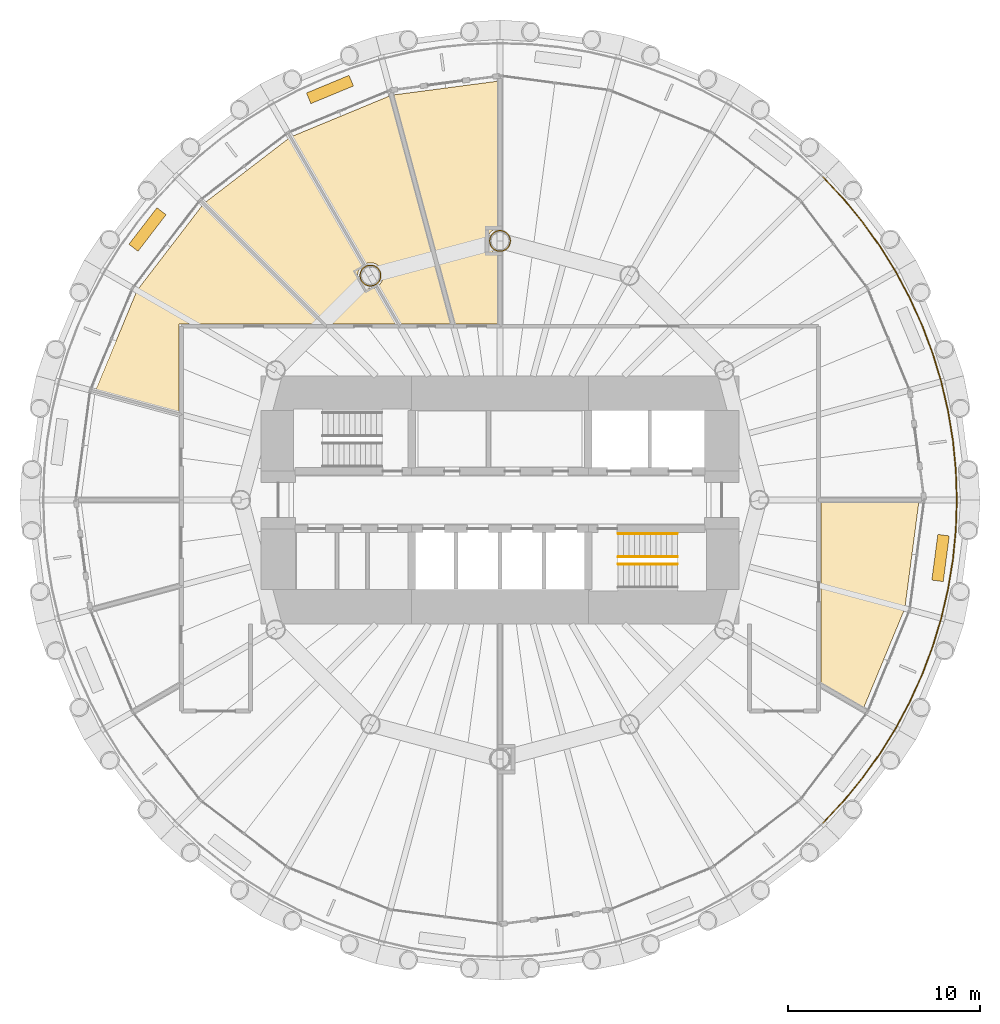
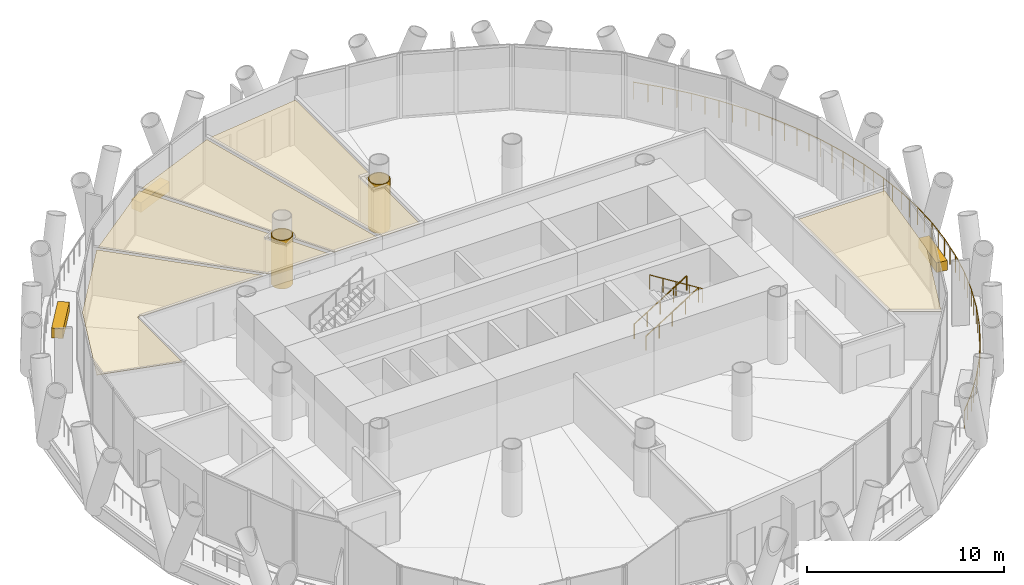
# One storey, part 14 of 15: 10 coverings, 4 railings.
"""IFC4 building model written with IfcOpenShell, lengths in metres."""

from ifc_helpers import new_model, si_unit, direction, frame, origin, origin_2d, place, context, subcontext, project, spatial, polyline, rectangle, circle, outline, extrude, material, layer, layer_set, type_object, element, save


model = new_model("IFC4")

# Units and contexts
model_context = context("Model", 3, precision=1e-05, world=origin(), true_north=direction((0.0, 1.0)))
body_context = subcontext(model_context, "Body", "Model", "MODEL_VIEW")
ifc_project = project(units=[si_unit("LENGTHUNIT", "METRE"), si_unit("AREAUNIT", "SQUARE_METRE"), si_unit("VOLUMEUNIT", "CUBIC_METRE"), si_unit("PLANEANGLEUNIT", "RADIAN"), si_unit("MASSUNIT", "GRAM", prefix="KILO")], contexts=[model_context])

# Site, building, storey
site_placement = place(None, origin())
site = spatial("IfcSite", under=ifc_project, at=site_placement, CompositionType="ELEMENT")
building_placement = place(site_placement, origin())
building = spatial("IfcBuilding", under=site, at=building_placement, Name="Qaws Media Tower", CompositionType="ELEMENT")
storey_placement = place(building_placement, frame((0.0, 0.0, 177.199951171875)))
storey = spatial("IfcBuildingStorey", under=building, at=storey_placement, Name="L40", CompositionType="ELEMENT", Elevation=177.199951171875)

# Covering
ifc_material_1 = material(Name="40 perforated acoustic panels with mineral wool backing, suspended", Category="mineral fibre")
ifc_layer_1 = layer(ifc_material_1, 0.0400390625)
ifc_layer_set_1 = layer_set([ifc_layer_1], Name="Acoustic panel ceiling 40")
covering_type_1 = type_object("IfcCoveringType", Name="Acoustic panel ceiling 40", PredefinedType="CEILING", material=ifc_layer_set_1)
covering_1_placement = place(storey_placement, frame((0.0, 0.0, 2.85009765625)))
element("IfcCovering", 1, at=covering_1_placement, inside=storey, type_object=covering_type_1, Name="CL3 ceiling L40-06 Meeting room", PredefinedType="CEILING", context=body_context, shape_type="SweptSolid", body=[
    extrude(outline(polyline([(41.090087890625, 60.91748046875), (44.4912109375, 65.349853515625), (50.678466796875, 59.16259765625), (43.28759765625, 59.16259765625), (43.28759765625, 54.594482421875), (38.9521484375, 55.756103515625), (41.090087890625, 60.91748046875)])), origin(), (0.0, 0.0, 1.0), 0.0400390625),
])

# Railing
ifc_material_2 = material(Name="Stainless steel and glass guard", Category="steel")
railing_type_1 = type_object("IfcRailingType", Name="Balcony guard 1100", PredefinedType="GUARDRAIL", material=ifc_material_2)
railing_1_placement = place(storey_placement, frame((76.8291015625, 33.1708984375, 0.0)))
element("IfcRailing", 2, at=railing_1_placement, inside=storey, type_object=railing_type_1, Name="GR1 balcony guard L40-4", PredefinedType="GUARDRAIL", context=body_context, shape_type="SweptSolid", body=[
    extrude(circle(Radius=0.02392578125, at=origin_2d()), frame((0.0, 0.0, 1.076171875), z_axis=(0.683607342491, 0.729849985471, 0.0), x_axis=(-0.729849985471, 0.683607342491, 0.0)), (0.0, 0.0, 1.0), 1.557373046875),
    extrude(circle(Radius=0.02392578125, at=origin_2d()), frame((1.064697265625, 1.13671875, 1.076171875), z_axis=(0.634415098536, 0.772992550255, 0.0), x_axis=(-0.772992550255, 0.634415098536, 0.0)), (0.0, 0.0, 1.0), 1.557373046875),
    extrude(circle(Radius=0.02392578125, at=origin_2d()), frame((2.052734375, 2.340576171875, 1.076171875), z_axis=(0.582527572079, 0.812810942204, 0.0), x_axis=(-0.812810942204, 0.582527572079, 0.0)), (0.0, 0.0, 1.0), 1.557373046875),
    extrude(circle(Radius=0.02392578125, at=origin_2d()), frame((2.9599609375, 3.6064453125, 1.076171875), z_axis=(0.527940232617, 0.849281526223, 0.0), x_axis=(-0.849281526223, 0.527940232617, 0.0)), (0.0, 0.0, 1.0), 1.5576171875),
    extrude(circle(Radius=0.02392578125, at=origin_2d()), frame((3.7822265625, 4.92919921875, 1.076171875), z_axis=(0.471377271187, 0.881931668673, 0.0), x_axis=(-0.881931668673, 0.471377271187, 0.0)), (0.0, 0.0, 1.0), 1.557373046875),
    extrude(circle(Radius=0.02392578125, at=origin_2d()), frame((4.516357421875, 6.302734375, 1.076171875), z_axis=(0.412775086352, 0.910832985836, 0.0), x_axis=(-0.910832985836, 0.412775086352, 0.0)), (0.0, 0.0, 1.0), 1.557373046875),
    extrude(circle(Radius=0.02392578125, at=origin_2d()), frame((5.1591796875, 7.72119140625, 1.076171875), z_axis=(0.352205389808, 0.935922733665, 0.0), x_axis=(-0.935922733665, 0.352205389808, 0.0)), (0.0, 0.0, 1.0), 1.5576171875),
    extrude(circle(Radius=0.02392578125, at=origin_2d()), frame((5.707763671875, 9.178955078125, 1.076171875), z_axis=(0.29033805853, 0.956924141073, 0.0), x_axis=(-0.956924141073, 0.29033805853, 0.0)), (0.0, 0.0, 1.0), 1.557373046875),
    extrude(circle(Radius=0.02392578125, at=origin_2d()), frame((6.159912109375, 10.669189453125, 1.076171875), z_axis=(0.227125557152, 0.973865484186, 0.0), x_axis=(-0.973865484186, 0.227125557152, 0.0)), (0.0, 0.0, 1.0), 1.5576171875),
    extrude(circle(Radius=0.02392578125, at=origin_2d()), frame((6.513671875, 12.18603515625, 1.076171875), z_axis=(0.162873559095, 0.9866469499, 0.0), x_axis=(-0.9866469499, 0.162873559095, 0.0)), (0.0, 0.0, 1.0), 1.557373046875),
    extrude(circle(Radius=0.02392578125, at=origin_2d()), frame((6.767333984375, 13.72265625, 1.076171875), z_axis=(0.097982449474, 0.995188142813, 0.0), x_axis=(-0.995188142813, 0.097982449474, 0.0)), (0.0, 0.0, 1.0), 1.557373046875),
    extrude(circle(Radius=0.02392578125, at=origin_2d()), frame((6.919921875, 15.2724609375, 1.076171875), z_axis=(0.032761575887, 0.999463195493, 0.0), x_axis=(-0.999463195493, 0.032761575887, 0.0)), (0.0, 0.0, 1.0), 1.557373046875),
    extrude(circle(Radius=0.02392578125, at=origin_2d()), frame((6.970947265625, 16.8291015625, 1.076171875), z_axis=(-0.032761575887, 0.999463195493, 0.0), x_axis=(-0.999463195493, -0.032761575887, 0.0)), (0.0, 0.0, 1.0), 1.557373046875),
    extrude(circle(Radius=0.02392578125, at=origin_2d()), frame((6.919921875, 18.3857421875, 1.076171875), z_axis=(-0.097982449474, 0.995188142813, 0.0), x_axis=(-0.995188142813, -0.097982449474, 0.0)), (0.0, 0.0, 1.0), 1.557373046875),
    extrude(circle(Radius=0.02392578125, at=origin_2d()), frame((6.767333984375, 19.935546875, 1.076171875), z_axis=(-0.162873559095, 0.9866469499, 0.0), x_axis=(-0.9866469499, -0.162873559095, 0.0)), (0.0, 0.0, 1.0), 1.557373046875),
    extrude(circle(Radius=0.02392578125, at=origin_2d()), frame((6.513671875, 21.47216796875, 1.076171875), z_axis=(-0.227125557152, 0.973865484186, 0.0), x_axis=(-0.973865484186, -0.227125557152, 0.0)), (0.0, 0.0, 1.0), 1.5576171875),
    extrude(circle(Radius=0.02392578125, at=origin_2d()), frame((6.159912109375, 22.989013671875, 1.076171875), z_axis=(-0.29033805853, 0.956924141073, 0.0), x_axis=(-0.956924141073, -0.29033805853, 0.0)), (0.0, 0.0, 1.0), 1.557373046875),
    extrude(circle(Radius=0.02392578125, at=origin_2d()), frame((5.707763671875, 24.479248046875, 1.076171875), z_axis=(-0.352205389808, 0.935922733665, 0.0), x_axis=(-0.935922733665, -0.352205389808, 0.0)), (0.0, 0.0, 1.0), 1.5576171875),
    extrude(circle(Radius=0.02392578125, at=origin_2d()), frame((5.1591796875, 25.93701171875, 1.076171875), z_axis=(-0.412775086352, 0.910832985836, 0.0), x_axis=(-0.910832985836, -0.412775086352, 0.0)), (0.0, 0.0, 1.0), 1.557373046875),
    extrude(circle(Radius=0.02392578125, at=origin_2d()), frame((4.516357421875, 27.35546875, 1.076171875), z_axis=(-0.471377271187, 0.881931668673, 0.0), x_axis=(-0.881931668673, -0.471377271187, 0.0)), (0.0, 0.0, 1.0), 1.557373046875),
    extrude(circle(Radius=0.02392578125, at=origin_2d()), frame((3.7822265625, 28.72900390625, 1.076171875), z_axis=(-0.527940232617, 0.849281526223, 0.0), x_axis=(-0.849281526223, -0.527940232617, 0.0)), (0.0, 0.0, 1.0), 1.5576171875),
    extrude(circle(Radius=0.02392578125, at=origin_2d()), frame((2.9599609375, 30.0517578125, 1.076171875), z_axis=(-0.582527572079, 0.812810942204, 0.0), x_axis=(-0.812810942204, -0.582527572079, 0.0)), (0.0, 0.0, 1.0), 1.557373046875),
    extrude(circle(Radius=0.02392578125, at=origin_2d()), frame((2.052734375, 31.317626953125, 1.076171875), z_axis=(-0.634415098536, 0.772992550255, 0.0), x_axis=(-0.772992550255, -0.634415098536, 0.0)), (0.0, 0.0, 1.0), 1.557373046875),
    extrude(circle(Radius=0.02392578125, at=origin_2d()), frame((1.064697265625, 32.521484375, 1.076171875), z_axis=(-0.683607342491, 0.729849985471, 0.0), x_axis=(-0.729849985471, -0.683607342491, 0.0)), (0.0, 0.0, 1.0), 1.557373046875),
    extrude(circle(Radius=0.02099609375, at=origin_2d()), origin(), (0.0, 0.0, 1.0), 1.052001953125),
    extrude(circle(Radius=0.02099609375, at=origin_2d()), frame((0.5322265625, 0.568359375, 0.0)), (0.0, 0.0, 1.0), 1.052001953125),
    extrude(circle(Radius=0.02099609375, at=origin_2d()), frame((1.064697265625, 1.13671875, 0.0)), (0.0, 0.0, 1.0), 1.052001953125),
    extrude(circle(Radius=0.02099609375, at=origin_2d()), frame((1.55859375, 1.73876953125, 0.0)), (0.0, 0.0, 1.0), 1.052001953125),
    extrude(circle(Radius=0.02099609375, at=origin_2d()), frame((2.052734375, 2.340576171875, 0.0)), (0.0, 0.0, 1.0), 1.052001953125),
    extrude(circle(Radius=0.02099609375, at=origin_2d()), frame((2.50634765625, 2.9736328125, 0.0)), (0.0, 0.0, 1.0), 1.052001953125),
    extrude(circle(Radius=0.02099609375, at=origin_2d()), frame((2.9599609375, 3.6064453125, 0.0)), (0.0, 0.0, 1.0), 1.052001953125),
    extrude(circle(Radius=0.02099609375, at=origin_2d()), frame((3.37109375, 4.267822265625, 0.0)), (0.0, 0.0, 1.0), 1.052001953125),
    extrude(circle(Radius=0.02099609375, at=origin_2d()), frame((3.7822265625, 4.92919921875, 0.0)), (0.0, 0.0, 1.0), 1.052001953125),
    extrude(circle(Radius=0.02099609375, at=origin_2d()), frame((4.1494140625, 5.615966796875, 0.0)), (0.0, 0.0, 1.0), 1.052001953125),
    extrude(circle(Radius=0.02099609375, at=origin_2d()), frame((4.516357421875, 6.302734375, 0.0)), (0.0, 0.0, 1.0), 1.052001953125),
    extrude(circle(Radius=0.02099609375, at=origin_2d()), frame((4.837890625, 7.011962890625, 0.0)), (0.0, 0.0, 1.0), 1.052001953125),
    extrude(circle(Radius=0.02099609375, at=origin_2d()), frame((5.1591796875, 7.72119140625, 0.0)), (0.0, 0.0, 1.0), 1.052001953125),
    extrude(circle(Radius=0.02099609375, at=origin_2d()), frame((5.43359375, 8.4501953125, 0.0)), (0.0, 0.0, 1.0), 1.052001953125),
    extrude(circle(Radius=0.02099609375, at=origin_2d()), frame((5.707763671875, 9.178955078125, 0.0)), (0.0, 0.0, 1.0), 1.052001953125),
    extrude(circle(Radius=0.02099609375, at=origin_2d()), frame((5.933837890625, 9.924072265625, 0.0)), (0.0, 0.0, 1.0), 1.052001953125),
    extrude(circle(Radius=0.02099609375, at=origin_2d()), frame((6.159912109375, 10.669189453125, 0.0)), (0.0, 0.0, 1.0), 1.052001953125),
    extrude(circle(Radius=0.02099609375, at=origin_2d()), frame((6.3369140625, 11.427734375, 0.0)), (0.0, 0.0, 1.0), 1.052001953125),
    extrude(circle(Radius=0.02099609375, at=origin_2d()), frame((6.513671875, 12.18603515625, 0.0)), (0.0, 0.0, 1.0), 1.052001953125),
    extrude(circle(Radius=0.02099609375, at=origin_2d()), frame((6.640625, 12.954345703125, 0.0)), (0.0, 0.0, 1.0), 1.052001953125),
    extrude(circle(Radius=0.02099609375, at=origin_2d()), frame((6.767333984375, 13.72265625, 0.0)), (0.0, 0.0, 1.0), 1.052001953125),
    extrude(circle(Radius=0.02099609375, at=origin_2d()), frame((6.84375, 14.49755859375, 0.0)), (0.0, 0.0, 1.0), 1.052001953125),
    extrude(circle(Radius=0.02099609375, at=origin_2d()), frame((6.919921875, 15.2724609375, 0.0)), (0.0, 0.0, 1.0), 1.052001953125),
    extrude(circle(Radius=0.02099609375, at=origin_2d()), frame((6.9453125, 16.05078125, 0.0)), (0.0, 0.0, 1.0), 1.052001953125),
    extrude(circle(Radius=0.02099609375, at=origin_2d()), frame((6.970947265625, 16.8291015625, 0.0)), (0.0, 0.0, 1.0), 1.052001953125),
    extrude(circle(Radius=0.02099609375, at=origin_2d()), frame((6.9453125, 17.607421875, 0.0)), (0.0, 0.0, 1.0), 1.052001953125),
    extrude(circle(Radius=0.02099609375, at=origin_2d()), frame((6.919921875, 18.3857421875, 0.0)), (0.0, 0.0, 1.0), 1.052001953125),
    extrude(circle(Radius=0.02099609375, at=origin_2d()), frame((6.84375, 19.16064453125, 0.0)), (0.0, 0.0, 1.0), 1.052001953125),
    extrude(circle(Radius=0.02099609375, at=origin_2d()), frame((6.767333984375, 19.935546875, 0.0)), (0.0, 0.0, 1.0), 1.052001953125),
    extrude(circle(Radius=0.02099609375, at=origin_2d()), frame((6.640625, 20.703857421875, 0.0)), (0.0, 0.0, 1.0), 1.052001953125),
    extrude(circle(Radius=0.02099609375, at=origin_2d()), frame((6.513671875, 21.47216796875, 0.0)), (0.0, 0.0, 1.0), 1.052001953125),
    extrude(circle(Radius=0.02099609375, at=origin_2d()), frame((6.3369140625, 22.23046875, 0.0)), (0.0, 0.0, 1.0), 1.052001953125),
    extrude(circle(Radius=0.02099609375, at=origin_2d()), frame((6.159912109375, 22.989013671875, 0.0)), (0.0, 0.0, 1.0), 1.052001953125),
    extrude(circle(Radius=0.02099609375, at=origin_2d()), frame((5.933837890625, 23.734130859375, 0.0)), (0.0, 0.0, 1.0), 1.052001953125),
    extrude(circle(Radius=0.02099609375, at=origin_2d()), frame((5.707763671875, 24.479248046875, 0.0)), (0.0, 0.0, 1.0), 1.052001953125),
    extrude(circle(Radius=0.02099609375, at=origin_2d()), frame((5.43359375, 25.2080078125, 0.0)), (0.0, 0.0, 1.0), 1.052001953125),
    extrude(circle(Radius=0.02099609375, at=origin_2d()), frame((5.1591796875, 25.93701171875, 0.0)), (0.0, 0.0, 1.0), 1.052001953125),
    extrude(circle(Radius=0.02099609375, at=origin_2d()), frame((4.837890625, 26.646240234375, 0.0)), (0.0, 0.0, 1.0), 1.052001953125),
    extrude(circle(Radius=0.02099609375, at=origin_2d()), frame((4.516357421875, 27.35546875, 0.0)), (0.0, 0.0, 1.0), 1.052001953125),
    extrude(circle(Radius=0.02099609375, at=origin_2d()), frame((4.1494140625, 28.042236328125, 0.0)), (0.0, 0.0, 1.0), 1.052001953125),
    extrude(circle(Radius=0.02099609375, at=origin_2d()), frame((3.7822265625, 28.72900390625, 0.0)), (0.0, 0.0, 1.0), 1.052001953125),
    extrude(circle(Radius=0.02099609375, at=origin_2d()), frame((3.37109375, 29.390380859375, 0.0)), (0.0, 0.0, 1.0), 1.052001953125),
    extrude(circle(Radius=0.02099609375, at=origin_2d()), frame((2.9599609375, 30.0517578125, 0.0)), (0.0, 0.0, 1.0), 1.052001953125),
    extrude(circle(Radius=0.02099609375, at=origin_2d()), frame((2.50634765625, 30.6845703125, 0.0)), (0.0, 0.0, 1.0), 1.052001953125),
    extrude(circle(Radius=0.02099609375, at=origin_2d()), frame((2.052734375, 31.317626953125, 0.0)), (0.0, 0.0, 1.0), 1.052001953125),
    extrude(circle(Radius=0.02099609375, at=origin_2d()), frame((1.55859375, 31.91943359375, 0.0)), (0.0, 0.0, 1.0), 1.052001953125),
    extrude(circle(Radius=0.02099609375, at=origin_2d()), frame((1.064697265625, 32.521484375, 0.0)), (0.0, 0.0, 1.0), 1.052001953125),
    extrude(circle(Radius=0.02099609375, at=origin_2d()), frame((0.5322265625, 33.08984375, 0.0)), (0.0, 0.0, 1.0), 1.052001953125),
    extrude(circle(Radius=0.02099609375, at=origin_2d()), frame((0.0, 33.658203125, 0.0)), (0.0, 0.0, 1.0), 1.052001953125),
])

# Coverings
ifc_material_3 = material(Name="Two layers 15 fire-rated gypsum board on steel framing", Category="steel")
ifc_layer_2 = layer(ifc_material_3, 0.050048828125)
ifc_layer_set_2 = layer_set([ifc_layer_2], Name="Column fire casing")
covering_type_2 = type_object("IfcCoveringType", Name="Column fire casing", PredefinedType="CLADDING", material=ifc_layer_set_2)
covering_2_placement = place(storey_placement, origin())
element("IfcCovering", 3, at=covering_2_placement, inside=storey, type_object=covering_type_2, Name="CC1 column casing L40", PredefinedType="CLADDING", context=body_context, shape_type="SweptSolid", body=[
    extrude(outline(polyline([(60.56298828125, 63.5), (60.55810546875, 63.426513671875), (60.543701171875, 63.354248046875), (60.52001953125, 63.284423828125), (60.487548828125, 63.218505859375), (60.44677734375, 63.1572265625), (60.398193359375, 63.101806640625), (60.3427734375, 63.05322265625), (60.281494140625, 63.012451171875), (60.215576171875, 62.97998046875), (60.145751953125, 62.956298828125), (60.073486328125, 62.94189453125), (60.0, 62.93701171875), (59.926513671875, 62.94189453125), (59.854248046875, 62.956298828125), (59.784423828125, 62.97998046875), (59.718505859375, 63.012451171875), (59.6572265625, 63.05322265625), (59.601806640625, 63.101806640625), (59.55322265625, 63.1572265625), (59.512451171875, 63.218505859375), (59.47998046875, 63.284423828125), (59.456298828125, 63.354248046875), (59.44189453125, 63.426513671875), (59.43701171875, 63.5), (59.44189453125, 63.573486328125), (59.456298828125, 63.645751953125), (59.47998046875, 63.715576171875), (59.512451171875, 63.781494140625), (59.55322265625, 63.8427734375), (59.601806640625, 63.898193359375), (59.6572265625, 63.94677734375), (59.718505859375, 63.987548828125), (59.784423828125, 64.02001953125), (59.854248046875, 64.043701171875), (59.926513671875, 64.05810546875), (60.0, 64.06298828125), (60.073486328125, 64.05810546875), (60.145751953125, 64.043701171875), (60.215576171875, 64.02001953125), (60.281494140625, 63.987548828125), (60.3427734375, 63.94677734375), (60.398193359375, 63.898193359375), (60.44677734375, 63.8427734375), (60.487548828125, 63.781494140625), (60.52001953125, 63.715576171875), (60.543701171875, 63.645751953125), (60.55810546875, 63.573486328125), (60.56298828125, 63.5)]), holes=[polyline([(60.510986328125, 63.5), (60.506591796875, 63.433349609375), (60.49365234375, 63.36767578125), (60.47216796875, 63.304443359375), (60.4423828125, 63.244384765625), (60.405517578125, 63.18896484375), (60.361328125, 63.138671875), (60.31103515625, 63.094482421875), (60.255615234375, 63.0576171875), (60.195556640625, 63.02783203125), (60.13232421875, 63.00634765625), (60.066650390625, 62.993408203125), (60.0, 62.989013671875), (59.933349609375, 62.993408203125), (59.86767578125, 63.00634765625), (59.804443359375, 63.02783203125), (59.744384765625, 63.0576171875), (59.68896484375, 63.094482421875), (59.638671875, 63.138671875), (59.594482421875, 63.18896484375), (59.5576171875, 63.244384765625), (59.52783203125, 63.304443359375), (59.50634765625, 63.36767578125), (59.493408203125, 63.433349609375), (59.489013671875, 63.5), (59.493408203125, 63.566650390625), (59.50634765625, 63.63232421875), (59.52783203125, 63.695556640625), (59.5576171875, 63.755615234375), (59.594482421875, 63.81103515625), (59.638671875, 63.861328125), (59.68896484375, 63.905517578125), (59.744384765625, 63.9423828125), (59.804443359375, 63.97216796875), (59.86767578125, 63.99365234375), (59.933349609375, 64.006591796875), (60.0, 64.010986328125), (60.066650390625, 64.006591796875), (60.13232421875, 63.99365234375), (60.195556640625, 63.97216796875), (60.255615234375, 63.9423828125), (60.31103515625, 63.905517578125), (60.361328125, 63.861328125), (60.405517578125, 63.81103515625), (60.4423828125, 63.755615234375), (60.47216796875, 63.695556640625), (60.49365234375, 63.63232421875), (60.506591796875, 63.566650390625), (60.510986328125, 63.5)])]), origin(), (0.0, 0.0, 1.0), 3.011962890625),
])
covering_3_placement = place(storey_placement, origin())
element("IfcCovering", 4, at=covering_3_placement, inside=storey, type_object=covering_type_2, Name="CC1 column casing L40", PredefinedType="CLADDING", context=body_context, shape_type="SweptSolid", body=[
    extrude(outline(polyline([(53.81298828125, 61.69140625), (53.80810546875, 61.617919921875), (53.793701171875, 61.545654296875), (53.77001953125, 61.475830078125), (53.737548828125, 61.409912109375), (53.69677734375, 61.3486328125), (53.648193359375, 61.293212890625), (53.5927734375, 61.24462890625), (53.531494140625, 61.203857421875), (53.465576171875, 61.171142578125), (53.395751953125, 61.1474609375), (53.323486328125, 61.13330078125), (53.25, 61.12841796875), (53.176513671875, 61.13330078125), (53.104248046875, 61.1474609375), (53.034423828125, 61.171142578125), (52.968505859375, 61.203857421875), (52.9072265625, 61.24462890625), (52.851806640625, 61.293212890625), (52.80322265625, 61.3486328125), (52.762451171875, 61.409912109375), (52.72998046875, 61.475830078125), (52.706298828125, 61.545654296875), (52.69189453125, 61.617919921875), (52.68701171875, 61.69140625), (52.69189453125, 61.764892578125), (52.706298828125, 61.837158203125), (52.72998046875, 61.90673828125), (52.762451171875, 61.972900390625), (52.80322265625, 62.0341796875), (52.851806640625, 62.08935546875), (52.9072265625, 62.137939453125), (52.968505859375, 62.178955078125), (53.034423828125, 62.21142578125), (53.104248046875, 62.235107421875), (53.176513671875, 62.24951171875), (53.25, 62.25439453125), (53.323486328125, 62.24951171875), (53.395751953125, 62.235107421875), (53.465576171875, 62.21142578125), (53.531494140625, 62.178955078125), (53.5927734375, 62.137939453125), (53.648193359375, 62.08935546875), (53.69677734375, 62.0341796875), (53.737548828125, 61.972900390625), (53.77001953125, 61.90673828125), (53.793701171875, 61.837158203125), (53.80810546875, 61.764892578125), (53.81298828125, 61.69140625)]), holes=[polyline([(53.760986328125, 61.69140625), (53.756591796875, 61.62451171875), (53.74365234375, 61.55908203125), (53.72216796875, 61.495849609375), (53.6923828125, 61.435791015625), (53.655517578125, 61.38037109375), (53.611328125, 61.330078125), (53.56103515625, 61.285888671875), (53.505615234375, 61.248779296875), (53.445556640625, 61.21923828125), (53.38232421875, 61.19775390625), (53.316650390625, 61.184814453125), (53.25, 61.180419921875), (53.183349609375, 61.184814453125), (53.11767578125, 61.19775390625), (53.054443359375, 61.21923828125), (52.994384765625, 61.248779296875), (52.93896484375, 61.285888671875), (52.888671875, 61.330078125), (52.844482421875, 61.38037109375), (52.8076171875, 61.435791015625), (52.77783203125, 61.495849609375), (52.75634765625, 61.55908203125), (52.743408203125, 61.62451171875), (52.739013671875, 61.69140625), (52.743408203125, 61.758056640625), (52.75634765625, 61.823486328125), (52.77783203125, 61.886962890625), (52.8076171875, 61.94677734375), (52.844482421875, 62.00244140625), (52.888671875, 62.052734375), (52.93896484375, 62.0966796875), (52.994384765625, 62.1337890625), (53.054443359375, 62.163330078125), (53.11767578125, 62.184814453125), (53.183349609375, 62.197998046875), (53.25, 62.202392578125), (53.316650390625, 62.197998046875), (53.38232421875, 62.184814453125), (53.445556640625, 62.163330078125), (53.505615234375, 62.1337890625), (53.56103515625, 62.0966796875), (53.611328125, 62.052734375), (53.655517578125, 62.00244140625), (53.6923828125, 61.94677734375), (53.72216796875, 61.886962890625), (53.74365234375, 61.823486328125), (53.756591796875, 61.758056640625), (53.760986328125, 61.69140625)])]), origin(), (0.0, 0.0, 1.0), 3.011962890625),
])
ifc_material_4 = material(Name="600 x 600 mineral fibre tiles in exposed grid, suspended", Category="mineral fibre")
ifc_layer_3 = layer(ifc_material_4, 0.02001953125)
ifc_layer_set_3 = layer_set([ifc_layer_3], Name="Mineral fibre tile ceiling 20")
covering_type_3 = type_object("IfcCoveringType", Name="Mineral fibre tile ceiling 20", PredefinedType="CEILING", material=ifc_layer_set_3)
covering_4_placement = place(storey_placement, frame((0.0, 0.0, 2.85009765625)))
element("IfcCovering", 5, at=covering_4_placement, inside=storey, type_object=covering_type_3, Name="CL1 ceiling L40-04 Office", PredefinedType="CEILING", context=body_context, shape_type="SweptSolid", body=[
    extrude(outline(polyline([(54.243896484375, 71.0478515625), (57.428466796875, 59.16259765625), (54.83984375, 59.16259765625), (53.676025390625, 61.178466796875), (53.722412109375, 61.218994140625), (53.780029296875, 61.28466796875), (53.82861328125, 61.357421875), (53.8671875, 61.435791015625), (53.895263671875, 61.5185546875), (53.912353515625, 61.604248046875), (53.91796875, 61.69140625), (53.912353515625, 61.778564453125), (53.895263671875, 61.8642578125), (53.8671875, 61.947021484375), (53.82861328125, 62.025390625), (53.780029296875, 62.097900390625), (53.722412109375, 62.163818359375), (53.65673828125, 62.22119140625), (53.583984375, 62.269775390625), (53.505615234375, 62.30859375), (53.4228515625, 62.336669921875), (53.337158203125, 62.353515625), (53.25, 62.359375), (53.162841796875, 62.353515625), (53.0771484375, 62.336669921875), (53.018798828125, 62.31689453125), (49.187255859375, 68.953369140625), (54.243896484375, 71.0478515625)])), origin(), (0.0, 0.0, 1.0), 0.02001953125),
])
covering_5_placement = place(storey_placement, frame((0.0, 0.0, 2.85009765625)))
element("IfcCovering", 6, at=covering_5_placement, inside=storey, type_object=covering_type_3, Name="CL1 ceiling L40-05 Office", PredefinedType="CEILING", context=body_context, shape_type="SweptSolid", body=[
    extrude(outline(polyline([(48.992431640625, 68.8408203125), (52.823974609375, 62.204345703125), (52.777587890625, 62.163818359375), (52.719970703125, 62.097900390625), (52.67138671875, 62.025390625), (52.6328125, 61.947021484375), (52.604736328125, 61.8642578125), (52.587646484375, 61.778564453125), (52.58203125, 61.69140625), (52.587646484375, 61.604248046875), (52.604736328125, 61.5185546875), (52.6328125, 61.435791015625), (52.67138671875, 61.357421875), (52.719970703125, 61.28466796875), (52.777587890625, 61.218994140625), (52.84326171875, 61.161376953125), (52.916015625, 61.11279296875), (52.994384765625, 61.07421875), (53.0771484375, 61.046142578125), (53.162841796875, 61.029052734375), (53.25, 61.023193359375), (53.337158203125, 61.029052734375), (53.4228515625, 61.046142578125), (53.481201171875, 61.06591796875), (54.580078125, 59.16259765625), (50.99658203125, 59.16259765625), (44.650146484375, 65.5087890625), (48.992431640625, 68.8408203125)])), origin(), (0.0, 0.0, 1.0), 0.02001953125),
])
covering_6_placement = place(storey_placement, frame((0.0, 0.0, 2.85009765625)))
element("IfcCovering", 7, at=covering_6_placement, inside=storey, type_object=covering_type_3, Name="CL1 ceiling L40-12 Communications office", PredefinedType="CEILING", context=body_context, shape_type="SweptSolid", body=[
    extrude(outline(polyline([(81.09130859375, 44.3486328125), (78.953369140625, 39.187255859375), (76.71240234375, 40.48095703125), (76.71240234375, 49.887451171875), (81.8203125, 49.887451171875), (81.09130859375, 44.3486328125)])), origin(), (0.0, 0.0, 1.0), 0.02001953125),
])
ifc_material_5 = material(Name="Precast concrete planter with trailing planting", Category="concrete")
ifc_layer_4 = layer(ifc_material_5, 0.60009765625)
ifc_layer_set_4 = layer_set([ifc_layer_4], Name="Planter 2400x600")
covering_type_4 = type_object("IfcCoveringType", Name="Planter 2400x600", PredefinedType="USERDEFINED", material=ifc_layer_set_4)
for number, where, z_axis, x_axis, name in (
    (8, (51.140869140625, 71.3876953125, 0.0), (0.0, 0.0, 1.0), (-0.923879532511, -0.382683432365, 0.0), "PL1 balcony planter L40-04"),
    (9, (41.6337890625, 64.0927734375, 0.0), (0.0, 0.0, 1.0), (-0.608761429009, -0.793353340291, 0.0), "PL1 balcony planter L40-05"),
    (10, (82.951904296875, 46.978271484375, 0.0), (0.0, 0.0, 1.0), (0.13052619222, 0.991444861374, 0.0), "PL1 balcony planter L40-12"),
):
    element("IfcCovering", number, at=place(storey_placement, frame(where, z_axis=z_axis, x_axis=x_axis)), inside=storey, type_object=covering_type_4, Name=name, ObjectType="PLANTER", PredefinedType="USERDEFINED", context=body_context, shape_type="SweptSolid", body=[
        extrude(rectangle(XDim=2.39990234375, YDim=0.60009765625, at=origin_2d()), origin(), (0.0, 0.0, 1.0), 0.60009765625),
    ])
ifc_material_6 = material(Name="Two layers 12.5 moisture-resistant plasterboard on suspended metal furring", Category="gypsum")
ifc_layer_5 = layer(ifc_material_6, 0.02490234375)
ifc_layer_set_5 = layer_set([ifc_layer_5], Name="Plasterboard ceiling 25")
covering_type_5 = type_object("IfcCoveringType", Name="Plasterboard ceiling 25", PredefinedType="CEILING", material=ifc_layer_set_5)
covering_7_placement = place(storey_placement, frame((0.0, 0.0, 2.85009765625)))
element("IfcCovering", 11, at=covering_7_placement, inside=storey, type_object=covering_type_5, Name="CL2 ceiling L40-03 Strategy reception", PredefinedType="CEILING", context=body_context, shape_type="SweptSolid", body=[
    extrude(outline(polyline([(59.887451171875, 71.8203125), (59.887451171875, 64.1572265625), (59.8271484375, 64.145263671875), (59.744384765625, 64.1171875), (59.666015625, 64.07861328125), (59.59326171875, 64.030029296875), (59.527587890625, 63.972412109375), (59.469970703125, 63.90673828125), (59.42138671875, 63.833984375), (59.3828125, 63.755615234375), (59.354736328125, 63.6728515625), (59.337646484375, 63.587158203125), (59.33203125, 63.5), (59.337646484375, 63.412841796875), (59.354736328125, 63.3271484375), (59.3828125, 63.244384765625), (59.42138671875, 63.166015625), (59.469970703125, 63.09326171875), (59.527587890625, 63.027587890625), (59.59326171875, 62.969970703125), (59.666015625, 62.92138671875), (59.744384765625, 62.8828125), (59.8271484375, 62.854736328125), (59.887451171875, 62.8427734375), (59.887451171875, 59.16259765625), (57.661376953125, 59.16259765625), (54.461181640625, 71.10595703125), (59.887451171875, 71.8203125)])), origin(), (0.0, 0.0, 1.0), 0.02490234375),
])

# Railings
ifc_material_7 = material(Name="Steel tube handrail", Category="steel")
railing_type_2 = type_object("IfcRailingType", Name="Stair handrail 900", PredefinedType="HANDRAIL", material=ifc_material_7)
for number, where, name in (
    (12, (66.159912109375, 48.25, 0.175048828125), "HR1 handrail S2 flight 1 L40"),
    (13, (66.159912109375, 47.0400390625, 0.175048828125), "HR1 handrail S2 flight 1 L40"),
):
    element("IfcRailing", number, at=place(storey_placement, frame(where)), inside=storey, type_object=railing_type_2, Name=name, PredefinedType="HANDRAIL", context=body_context, shape_type="SweptSolid", body=[
        extrude(circle(Radius=0.02392578125, at=origin_2d()), frame((0.0, 0.0, 0.8759765625), z_axis=(0.847998304005, 0.0, 0.529998940003), x_axis=(0.0, 1.0, 0.0)), (0.0, 0.0, 1.0), 3.632080078125),
        extrude(circle(Radius=0.02099609375, at=origin_2d()), origin(), (0.0, 0.0, 1.0), 0.851806640625),
        extrude(circle(Radius=0.02099609375, at=origin_2d()), frame((0.77001953125, 0.0, 0.481201171875)), (0.0, 0.0, 1.0), 0.851806640625),
        extrude(circle(Radius=0.02099609375, at=origin_2d()), frame((1.5400390625, 0.0, 0.96240234375)), (0.0, 0.0, 1.0), 0.851806640625),
        extrude(circle(Radius=0.02099609375, at=origin_2d()), frame((2.31005859375, 0.0, 1.44384765625)), (0.0, 0.0, 1.0), 0.851806640625),
        extrude(circle(Radius=0.02099609375, at=origin_2d()), frame((3.080078125, 0.0, 1.925048828125)), (0.0, 0.0, 1.0), 0.851806640625),
    ])
railing_2_placement = place(storey_placement, frame((69.239990234375, 46.659912109375, 2.275146484375)))
element("IfcRailing", 14, at=railing_2_placement, inside=storey, type_object=railing_type_2, Name="HR1 handrail S2 flight 2 L40", PredefinedType="HANDRAIL", context=body_context, shape_type="SweptSolid", body=[
    extrude(circle(Radius=0.02392578125, at=origin_2d()), frame((0.0, 0.0, 0.8759765625), z_axis=(-0.848028513186, 0.0, 0.529950602248), x_axis=(0.0, -1.0, 0.0)), (0.0, 0.0, 1.0), 3.632080078125),
    extrude(circle(Radius=0.02099609375, at=origin_2d()), origin(), (0.0, 0.0, 1.0), 0.851806640625),
    extrude(circle(Radius=0.02099609375, at=origin_2d()), frame((-0.77001953125, 0.0, 0.481201171875)), (0.0, 0.0, 1.0), 0.851806640625),
    extrude(circle(Radius=0.02099609375, at=origin_2d()), frame((-1.5400390625, 0.0, 0.96240234375)), (0.0, 0.0, 1.0), 0.851806640625),
    extrude(circle(Radius=0.02099609375, at=origin_2d()), frame((-2.31005859375, 0.0, 1.443603515625)), (0.0, 0.0, 1.0), 0.851806640625),
    extrude(circle(Radius=0.02099609375, at=origin_2d()), frame((-3.080078125, 0.0, 1.9248046875)), (0.0, 0.0, 1.0), 0.851806640625),
])

save(model, "model.ifc")
